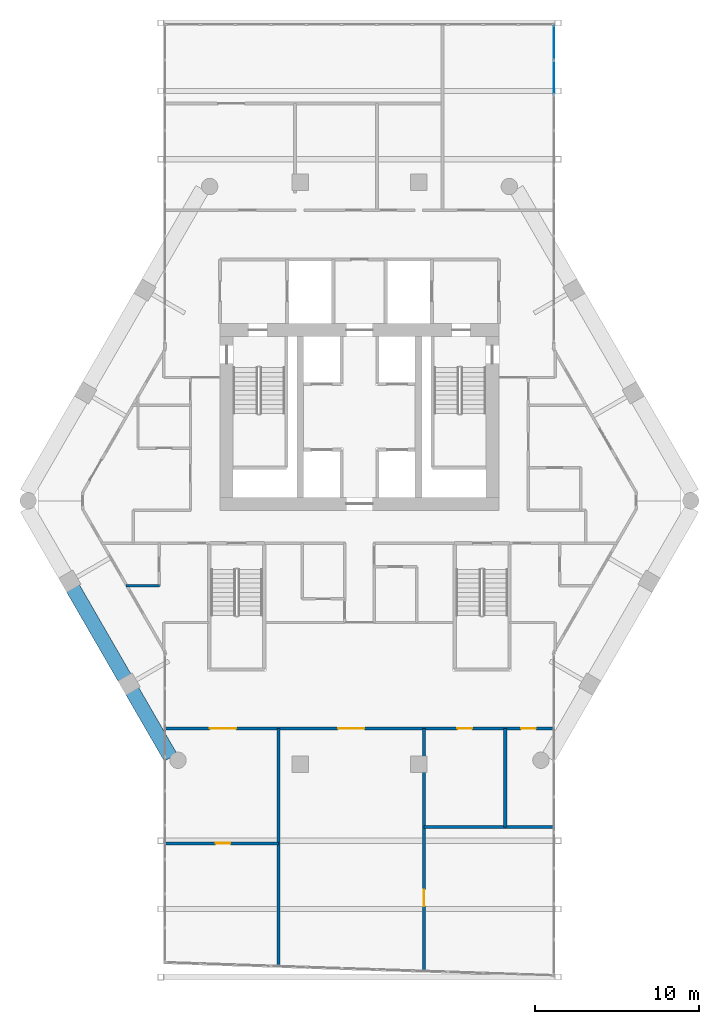
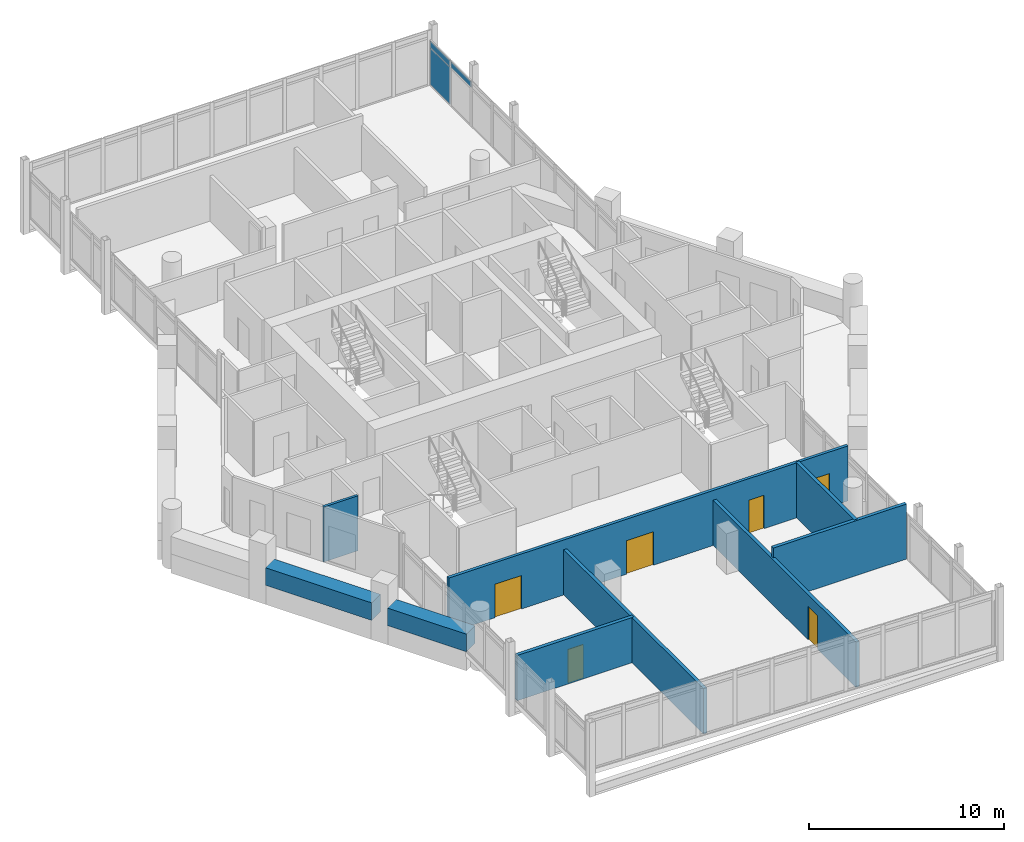
# One storey, part 24 of 29: 9 walls, 6 doors, 3 plates, 6 openings, 1 element without a shape of its own.
"""IFC4 building model written with IfcOpenShell, lengths in metres."""

from ifc_helpers import new_model, si_unit, direction, frame, frame_2d, origin, origin_2d, place, context, subcontext, project, spatial, rectangle, extrude, material, layer, layer_set, type_object, element, fill, aggregate, save


model = new_model("IFC4")

# Units and contexts
model_context = context("Model", 3, precision=1e-05, world=origin(), true_north=direction((0.0, 1.0)))
body_context = subcontext(model_context, "Body", "Model", "MODEL_VIEW")
ifc_project = project(units=[si_unit("LENGTHUNIT", "METRE"), si_unit("AREAUNIT", "SQUARE_METRE"), si_unit("VOLUMEUNIT", "CUBIC_METRE"), si_unit("PLANEANGLEUNIT", "RADIAN"), si_unit("MASSUNIT", "GRAM", prefix="KILO")], contexts=[model_context])

# Site, building, storey
site_placement = place(None, origin())
site = spatial("IfcSite", under=ifc_project, at=site_placement, CompositionType="ELEMENT")
building_placement = place(site_placement, origin())
building = spatial("IfcBuilding", under=site, at=building_placement, Name="Ostrander Bayou Hotel Tower", CompositionType="ELEMENT")
storey_placement = place(building_placement, frame((0.0, 0.0, 205.75)))
storey = spatial("IfcBuildingStorey", under=building, at=storey_placement, Name="L51", CompositionType="ELEMENT", Elevation=205.75)

# Curtain wall, plates
ifc_material_1 = material(Name="Aluminium and clear glass", Category="aluminium")
curtain_wall_type = type_object("IfcCurtainWallType", Name="CW-BAR glazed wall", PredefinedType="NOTDEFINED", material=ifc_material_1)
curtain_wall_placement = place(storey_placement, origin())
curtain_wall = element("IfcCurtainWall", 1, at=curtain_wall_placement, inside=storey, type_object=curtain_wall_type, Name="CW-BAR L51:SB4N:W", PredefinedType="NOTDEFINED")
ifc_material_2 = material(Name="Clear laminated glass", Category="glass")
ifc_layer_1 = layer(ifc_material_2, 0.028076171875)
ifc_layer_set_1 = layer_set([ifc_layer_1], Name="CW-BR glazing panel 28 mm")
plate_type = type_object("IfcPlateType", Name="CW-BR glazing panel 28 mm", PredefinedType="CURTAIN_PANEL", material=ifc_layer_set_1)
plate_1_placement = place(storey_placement, frame((11.857177734375, 24.69091796875, 2.43017578125), z_axis=(0.0, 0.0, 1.0), x_axis=(0.0, 1.0, 0.0)))
plate_1 = element("IfcPlate", 2, at=plate_1_placement, type_object=plate_type, Name="CW-BAR panel 8.2", PredefinedType="CURTAIN_PANEL", context=body_context, shape_type="SweptSolid", body=[
    extrude(rectangle(XDim=2.090087890625, YDim=0.028076171875, at=origin_2d()), origin(), (0.0, 0.0, 1.0), 0.360107421875),
])
plate_2_placement = place(storey_placement, frame((11.857177734375, 26.825927734375, 0.06005859375), z_axis=(0.0, 0.0, 1.0), x_axis=(0.0, 1.0, 0.0)))
plate_2 = element("IfcPlate", 3, at=plate_2_placement, type_object=plate_type, Name="CW-BAR panel 9.1", PredefinedType="CURTAIN_PANEL", context=body_context, shape_type="SweptSolid", body=[
    extrude(rectangle(XDim=2.060302734375, YDim=0.028076171875, at=origin_2d()), origin(), (0.0, 0.0, 1.0), 2.31005859375),
])
plate_3_placement = place(storey_placement, frame((11.857177734375, 26.825927734375, 2.43017578125), z_axis=(0.0, 0.0, 1.0), x_axis=(0.0, 1.0, 0.0)))
plate_3 = element("IfcPlate", 4, at=plate_3_placement, type_object=plate_type, Name="CW-BAR panel 9.2", PredefinedType="CURTAIN_PANEL", context=body_context, shape_type="SweptSolid", body=[
    extrude(rectangle(XDim=2.060302734375, YDim=0.028076171875, at=origin_2d()), origin(), (0.0, 0.0, 1.0), 0.360107421875),
])
aggregate(curtain_wall, [plate_1, plate_2, plate_3])

# Walls
ifc_material_3 = material(Name="Limestone masonry", Category="masonry")
ifc_layer_2 = layer(ifc_material_3, 0.89990234375)
ifc_layer_set_2 = layer_set([ifc_layer_2], Name="PA2 limestone parapet 900 mm")
wall_type_1 = type_object("IfcWallType", Name="PA2 limestone parapet 900 mm", PredefinedType="PARAPET", material=ifc_layer_set_2)
wall_1_placement = place(storey_placement, frame((-17.465576171875, -6.44873046875, 0.0), z_axis=(0.0, 0.0, 1.0), x_axis=(0.500013351051, -0.866017695414, 0.0)))
element("IfcWall", 5, at=wall_1_placement, inside=storey, type_object=wall_type_1, Name="PA2 L51 SW-2", PredefinedType="PARAPET", context=body_context, shape_type="SweptSolid", body=[
    extrude(rectangle(XDim=6.296142578125, YDim=0.89990234375, at=frame_2d((3.14794921875, 0.0))), origin(), (0.0, 0.0, 1.0), 1.10009765625),
])
wall_2_placement = place(storey_placement, frame((-13.847412109375, -12.71533203125, 0.0), z_axis=(0.0, 0.0, 1.0), x_axis=(0.499966354109, -0.866044828377, 0.0)))
element("IfcWall", 6, at=wall_2_placement, inside=storey, type_object=wall_type_1, Name="PA2 L51 SW-3", PredefinedType="PARAPET", context=body_context, shape_type="SweptSolid", body=[
    extrude(rectangle(XDim=4.678955078125, YDim=0.89990234375, at=frame_2d((2.33935546875, 0.0))), origin(), (0.0, 0.0, 1.0), 1.10009765625),
])

# Wall, opening, door
ifc_material_4 = material(Name="Gypsum board partition", Category="finish")
ifc_layer_3 = layer(ifc_material_4, 0.199951171875)
ifc_layer_set_3 = layer_set([ifc_layer_3], Name="PT3 demising wall 200 mm acoustic double stud, 1 hour")
wall_type_2 = type_object("IfcWallType", Name="PT3 demising wall 200 mm acoustic double stud, 1 hour", PredefinedType="PARTITIONING", material=ifc_layer_set_3)
wall_3_placement = place(storey_placement, frame((-11.838134765625, -22.0, 0.0), z_axis=(0.0, 0.0, 1.0), x_axis=(1.0, 0.0, 0.0)))
wall_3 = element("IfcWall", 7, at=wall_3_placement, inside=storey, type_object=wall_type_2, Name="sw:L51:504", PredefinedType="PARTITIONING", context=body_context, shape_type="SweptSolid", body=[
    extrude(rectangle(XDim=6.906005859375, YDim=0.199951171875, at=frame_2d((3.453125, 0.0))), origin(), (0.0, 0.0, 1.0), 2.8388671875),
])
opening_1_placement = place(wall_3_placement, frame((3.071044921875, 0.0, 0.0)))
opening_1 = element("IfcOpeningElement", 8, at=opening_1_placement, cuts=wall_3, Name="Opening T50-1201", PredefinedType="OPENING", context=body_context, shape_type="SweptSolid", body=[
    extrude(rectangle(XDim=0.89990234375, YDim=2.10009765625, at=frame_2d((0.449951171875, 1.050048828125))), frame((0.0, 0.10009765625, 0.0), z_axis=(0.0, -1.0, 0.0), x_axis=(1.0, 0.0, 0.0)), (0.0, 0.0, 1.0), 0.199951171875),
])
ifc_material_5 = material(Name="Timber door leaf", Category="wood")
door_type_1 = type_object("IfcDoorType", Name="D8 room door 900 x 2100 mm", OperationType="SINGLE_SWING_LEFT", PredefinedType="DOOR", material=ifc_material_5)
door_1_placement = place(opening_1_placement, origin())
door_1 = element("IfcDoor", 9, at=door_1_placement, inside=storey, type_object=door_type_1, Name="dr:L51:1201", OperationType="SINGLE_SWING_LEFT", OverallHeight=2.10009765625, OverallWidth=0.89990234375, PredefinedType="DOOR", context=body_context, shape_type="SweptSolid", body=[
    extrude(rectangle(XDim=0.89990234375, YDim=2.10009765625, at=frame_2d((0.449951171875, 1.050048828125))), frame((0.0, 0.02490234375, 0.0), z_axis=(0.0, -1.0, 0.0), x_axis=(1.0, 0.0, 0.0)), (0.0, 0.0, 1.0), 0.050048828125),
])
fill(opening_1, door_1)

# Walls
wall_4_placement = place(storey_placement, frame((3.93212890625, -21.0, 0.0), z_axis=(0.0, 0.0, 1.0), x_axis=(1.0, 0.0, 0.0)))
element("IfcWall", 10, at=wall_4_placement, inside=storey, type_object=wall_type_2, Name="sw:L51:505", PredefinedType="PARTITIONING", context=body_context, shape_type="SweptSolid", body=[
    extrude(rectangle(XDim=7.906005859375, YDim=0.199951171875, at=frame_2d((3.953125, 0.0))), origin(), (0.0, 0.0, 1.0), 3.449951171875),
])
wall_5_placement = place(storey_placement, frame((-4.931884765625, -29.4658203125, 0.0), z_axis=(0.0, 0.0, 1.0), x_axis=(0.0, 1.0, 0.0)))
element("IfcWall", 11, at=wall_5_placement, inside=storey, type_object=wall_type_2, Name="sw:L51:507", PredefinedType="PARTITIONING", context=body_context, shape_type="SweptSolid", body=[
    extrude(rectangle(XDim=14.4658203125, YDim=0.199951171875, at=frame_2d((7.23291015625, 0.0))), origin(), (0.0, 0.0, 1.0), 2.8388671875),
])

# Wall, opening, door
wall_6_placement = place(storey_placement, frame((3.931884765625, -29.7626953125, 0.0), z_axis=(0.0, 0.0, 1.0), x_axis=(0.0, 1.0, 0.0)))
wall_6 = element("IfcWall", 12, at=wall_6_placement, inside=storey, type_object=wall_type_2, Name="sw:L51:510", PredefinedType="PARTITIONING", context=body_context, shape_type="SweptSolid", body=[
    extrude(rectangle(XDim=14.7626953125, YDim=0.199951171875, at=frame_2d((7.38134765625, 0.0))), origin(), (0.0, 0.0, 1.0), 2.8388671875),
])
opening_2_placement = place(wall_6_placement, frame((3.93701171875, 0.0, 0.0)))
opening_2 = element("IfcOpeningElement", 13, at=opening_2_placement, cuts=wall_6, Name="Opening T50-1202", PredefinedType="OPENING", context=body_context, shape_type="SweptSolid", body=[
    extrude(rectangle(XDim=1.0, YDim=2.10009765625, at=frame_2d((0.5, 1.050048828125))), frame((0.0, 0.10009765625, 0.0), z_axis=(0.0, -1.0, 0.0), x_axis=(1.0, 0.0, 0.0)), (0.0, 0.0, 1.0), 0.199951171875),
])
ifc_material_6 = material(Name="Timber door leaf", Category="wood")
door_type_2 = type_object("IfcDoorType", Name="D9 service door 1000 x 2100 mm, 30 minute", OperationType="SINGLE_SWING_LEFT", PredefinedType="DOOR", material=ifc_material_6)
door_2_placement = place(opening_2_placement, origin())
door_2 = element("IfcDoor", 14, at=door_2_placement, inside=storey, type_object=door_type_2, Name="dr:L51:1202", OperationType="SINGLE_SWING_RIGHT", OverallHeight=2.10009765625, OverallWidth=1.0, PredefinedType="DOOR", context=body_context, shape_type="SweptSolid", body=[
    extrude(rectangle(XDim=1.0, YDim=2.10009765625, at=frame_2d((0.5, 1.050048828125))), frame((0.0, 0.02490234375, 0.0), z_axis=(0.0, -1.0, 0.0), x_axis=(1.0, 0.0, 0.0)), (0.0, 0.0, 1.0), 0.050048828125),
])
fill(opening_2, door_2)

# Wall
wall_7_placement = place(storey_placement, frame((8.89208984375, -21.0, 0.0), z_axis=(0.0, 0.0, 1.0), x_axis=(0.0, 1.0, 0.0)))
element("IfcWall", 15, at=wall_7_placement, inside=storey, type_object=wall_type_2, Name="sw:L51:512", PredefinedType="PARTITIONING", context=body_context, shape_type="SweptSolid", body=[
    extrude(rectangle(XDim=6.0, YDim=0.199951171875, at=frame_2d((3.0, 0.0))), origin(), (0.0, 0.0, 1.0), 3.449951171875),
])

# Wall, openings, doors
ifc_material_7 = material(Name="Gypsum board partition", Category="finish")
ifc_layer_4 = layer(ifc_material_7, 0.175048828125)
ifc_layer_set_4 = layer_set([ifc_layer_4], Name="PT4 corridor wall 175 mm, 1 hour")
wall_type_3 = type_object("IfcWallType", Name="PT4 corridor wall 175 mm, 1 hour", PredefinedType="PARTITIONING", material=ifc_layer_set_4)
wall_8_placement = place(storey_placement, frame((-11.838134765625, -15.0, 0.0), z_axis=(0.0, 0.0, 1.0), x_axis=(1.0, 0.0, 0.0)))
wall_8 = element("IfcWall", 16, at=wall_8_placement, inside=storey, type_object=wall_type_3, Name="sw:L51:500", PredefinedType="PARTITIONING", context=body_context, shape_type="SweptSolid", body=[
    extrude(rectangle(XDim=23.67626953125, YDim=0.175048828125, at=frame_2d((11.838134765625, 0.0))), origin(), (0.0, 0.0, 1.0), 3.449951171875),
])
opening_3_placement = place(wall_8_placement, frame((2.720947265625, 0.0, 0.0)))
opening_3 = element("IfcOpeningElement", 17, at=opening_3_placement, cuts=wall_8, Name="Opening T50-1200", PredefinedType="OPENING", context=body_context, shape_type="SweptSolid", body=[
    extrude(rectangle(XDim=1.60009765625, YDim=2.10009765625, at=frame_2d((0.800048828125, 1.050048828125))), frame((0.0, 0.08740234375, 0.0), z_axis=(0.0, -1.0, 0.0), x_axis=(1.0, 0.0, 0.0)), (0.0, 0.0, 1.0), 0.175048828125),
])
opening_4_placement = place(wall_8_placement, frame((17.80029296875, 0.0, 0.0)))
opening_4 = element("IfcOpeningElement", 18, at=opening_4_placement, cuts=wall_8, Name="Opening T50-1203", PredefinedType="OPENING", context=body_context, shape_type="SweptSolid", body=[
    extrude(rectangle(XDim=0.89990234375, YDim=2.10009765625, at=frame_2d((0.449951171875, 1.050048828125))), frame((0.0, 0.08740234375, 0.0), z_axis=(0.0, -1.0, 0.0), x_axis=(1.0, 0.0, 0.0)), (0.0, 0.0, 1.0), 0.175048828125),
])
opening_5_placement = place(wall_8_placement, frame((21.685302734375, 0.0, 0.0)))
opening_5 = element("IfcOpeningElement", 19, at=opening_5_placement, cuts=wall_8, Name="Opening T50-1204", PredefinedType="OPENING", context=body_context, shape_type="SweptSolid", body=[
    extrude(rectangle(XDim=0.89990234375, YDim=2.10009765625, at=frame_2d((0.449951171875, 1.050048828125))), frame((0.0, 0.08740234375, 0.0), z_axis=(0.0, -1.0, 0.0), x_axis=(1.0, 0.0, 0.0)), (0.0, 0.0, 1.0), 0.175048828125),
])
opening_6_placement = place(wall_8_placement, frame((10.5380859375, 0.0, 0.0)))
opening_6 = element("IfcOpeningElement", 20, at=opening_6_placement, cuts=wall_8, Name="Opening T50-1205", PredefinedType="OPENING", context=body_context, shape_type="SweptSolid", body=[
    extrude(rectangle(XDim=1.60009765625, YDim=2.10009765625, at=frame_2d((0.800048828125, 1.050048828125))), frame((0.0, 0.08740234375, 0.0), z_axis=(0.0, -1.0, 0.0), x_axis=(1.0, 0.0, 0.0)), (0.0, 0.0, 1.0), 0.175048828125),
])
ifc_material_8 = material(Name="Timber door leaf", Category="wood")
door_type_3 = type_object("IfcDoorType", Name="D13 double door 1600 x 2100 mm, 1 hour", OperationType="SINGLE_SWING_LEFT", PredefinedType="DOOR", material=ifc_material_8)
door_3_placement = place(opening_3_placement, origin())
door_3 = element("IfcDoor", 21, at=door_3_placement, inside=storey, type_object=door_type_3, Name="dr:L51:1200", OperationType="DOUBLE_DOOR_SINGLE_SWING", OverallHeight=2.10009765625, OverallWidth=1.60009765625, PredefinedType="DOOR", context=body_context, shape_type="SweptSolid", body=[
    extrude(rectangle(XDim=1.60009765625, YDim=2.10009765625, at=frame_2d((0.800048828125, 1.050048828125))), frame((0.0, 0.02490234375, 0.0), z_axis=(0.0, -1.0, 0.0), x_axis=(1.0, 0.0, 0.0)), (0.0, 0.0, 1.0), 0.050048828125),
])
fill(opening_3, door_3)
door_4_placement = place(opening_6_placement, origin())
door_4 = element("IfcDoor", 22, at=door_4_placement, inside=storey, type_object=door_type_3, Name="dr:L51:1205", OperationType="DOUBLE_DOOR_SINGLE_SWING", OverallHeight=2.10009765625, OverallWidth=1.60009765625, PredefinedType="DOOR", context=body_context, shape_type="SweptSolid", body=[
    extrude(rectangle(XDim=1.60009765625, YDim=2.10009765625, at=frame_2d((0.800048828125, 1.050048828125))), frame((0.0, 0.02490234375, 0.0), z_axis=(0.0, -1.0, 0.0), x_axis=(1.0, 0.0, 0.0)), (0.0, 0.0, 1.0), 0.050048828125),
])
fill(opening_6, door_4)
door_5_placement = place(opening_4_placement, origin())
door_5 = element("IfcDoor", 23, at=door_5_placement, inside=storey, type_object=door_type_1, Name="dr:L51:1203", OperationType="SINGLE_SWING_LEFT", OverallHeight=2.10009765625, OverallWidth=0.89990234375, PredefinedType="DOOR", context=body_context, shape_type="SweptSolid", body=[
    extrude(rectangle(XDim=0.89990234375, YDim=2.10009765625, at=frame_2d((0.449951171875, 1.050048828125))), frame((0.0, 0.02490234375, 0.0), z_axis=(0.0, -1.0, 0.0), x_axis=(1.0, 0.0, 0.0)), (0.0, 0.0, 1.0), 0.050048828125),
])
fill(opening_4, door_5)
door_6_placement = place(opening_5_placement, origin())
door_6 = element("IfcDoor", 24, at=door_6_placement, inside=storey, type_object=door_type_1, Name="dr:L51:1204", OperationType="SINGLE_SWING_RIGHT", OverallHeight=2.10009765625, OverallWidth=0.89990234375, PredefinedType="DOOR", context=body_context, shape_type="SweptSolid", body=[
    extrude(rectangle(XDim=0.89990234375, YDim=2.10009765625, at=frame_2d((0.449951171875, 1.050048828125))), frame((0.0, 0.02490234375, 0.0), z_axis=(0.0, -1.0, 0.0), x_axis=(1.0, 0.0, 0.0)), (0.0, 0.0, 1.0), 0.050048828125),
])
fill(opening_5, door_6)

# Wall
ifc_material_9 = material(Name="Gypsum board partition", Category="finish")
ifc_layer_5 = layer(ifc_material_9, 0.14990234375)
ifc_layer_set_5 = layer_set([ifc_layer_5], Name="PT8 service band wall 150 mm, 1 hour")
wall_type_4 = type_object("IfcWallType", Name="PT8 service band wall 150 mm, 1 hour", PredefinedType="PARTITIONING", material=ifc_layer_set_5)
wall_9_placement = place(storey_placement, frame((-14.22607421875, -6.300048828125, 0.0), z_axis=(0.0, 0.0, 1.0), x_axis=(1.0, 0.0, 0.0)))
element("IfcWall", 25, at=wall_9_placement, inside=storey, type_object=wall_type_4, Name="gw:L51:005", PredefinedType="PARTITIONING", context=body_context, shape_type="SweptSolid", body=[
    extrude(rectangle(XDim=2.026123046875, YDim=0.14990234375, at=frame_2d((1.01318359375, 0.0))), origin(), (0.0, 0.0, 1.0), 3.449951171875),
])

save(model, "model.ifc")
